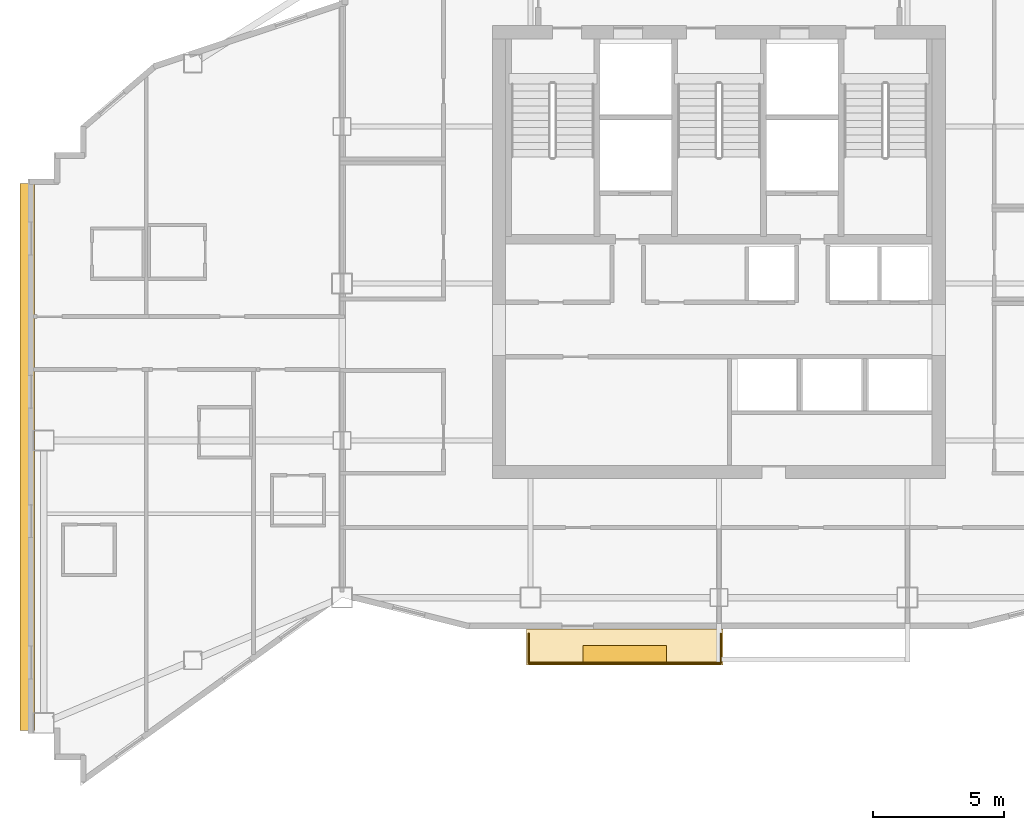
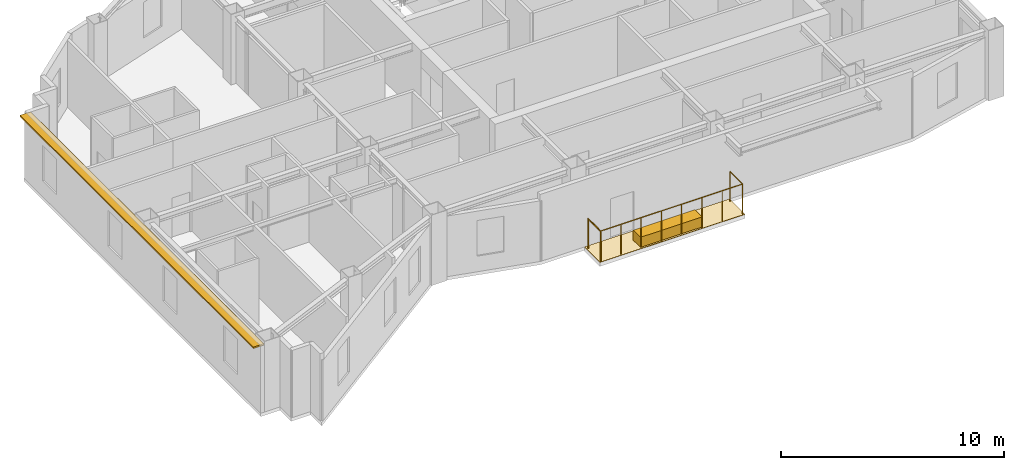
# One storey, part 9 of 10: 2 coverings, 2 railings, 1 shading device.
"""IFC4 building model written with IfcOpenShell, lengths in metres."""

from ifc_helpers import new_model, si_unit, direction, frame, origin, origin_2d, place, context, subcontext, project, spatial, polyline, rectangle, circle, outline, extrude, material, layer, layer_set, type_object, element, save


model = new_model("IFC4")

# Units and contexts
model_context = context("Model", 3, precision=1e-05, world=origin(), true_north=direction((0.0, 1.0)))
body_context = subcontext(model_context, "Body", "Model", "MODEL_VIEW")
ifc_project = project(units=[si_unit("LENGTHUNIT", "METRE"), si_unit("AREAUNIT", "SQUARE_METRE"), si_unit("VOLUMEUNIT", "CUBIC_METRE"), si_unit("PLANEANGLEUNIT", "RADIAN"), si_unit("MASSUNIT", "GRAM", prefix="KILO")], contexts=[model_context])

# Site, building, storey
site_placement = place(None, origin())
site = spatial("IfcSite", under=ifc_project, at=site_placement, CompositionType="ELEMENT")
building_placement = place(site_placement, origin())
building = spatial("IfcBuilding", under=site, at=building_placement, Name="Haolan Belvedere Tower", CompositionType="ELEMENT")
storey_placement = place(building_placement, frame((0.0, 0.0, 266.0)))
storey = spatial("IfcBuildingStorey", under=building, at=storey_placement, Name="L67", CompositionType="ELEMENT", Elevation=266.0)

# Coverings
ifc_material_1 = material(Name="Engineered lightweight planted garden soil substrate", Category="masonry")
ifc_layer_1 = layer(ifc_material_1, 0.550048828125, Name="Engineered lightweight planted garden soil substrate")
ifc_layer_set_1 = layer_set([ifc_layer_1], Name="Engineered lightweight planted garden soil substrate")
covering_type_1 = type_object("IfcCoveringType", Name="COV-PLANT-550", PredefinedType="MEMBRANE", material=ifc_layer_set_1)
covering_1_placement = place(storey_placement, frame((34.800048828125, 19.43994140625, 0.0), z_axis=(0.0, 0.0, 1.0), x_axis=(1.0, 0.0, 0.0)))
element("IfcCovering", 1, at=covering_1_placement, inside=storey, type_object=covering_type_1, Name="L67 structural tree balcony PLANTER box 1", PredefinedType="MEMBRANE", context=body_context, shape_type="SweptSolid", body=[
    extrude(rectangle(XDim=3.199951171875, YDim=0.64990234375, at=origin_2d()), origin(), (0.0, 0.0, 1.0), 0.550048828125),
])
ifc_material_2 = material(Name="Elastomeric waterproof roofing membrane and stone pavers", Category="masonry")
ifc_layer_2 = layer(ifc_material_2, 0.02001953125, Name="Elastomeric waterproof roofing membrane and stone pavers")
ifc_layer_set_2 = layer_set([ifc_layer_2], Name="Elastomeric waterproof roofing membrane and stone pavers")
covering_type_2 = type_object("IfcCoveringType", Name="COV-ROOF-20", PredefinedType="ROOFING", material=ifc_layer_set_2)
covering_2_placement = place(storey_placement, frame((0.0, 0.0, -0.02001953125)))
element("IfcCovering", 2, at=covering_2_placement, inside=storey, type_object=covering_type_2, Name="L67 tree-balcony waterproof membrane 1", PredefinedType="ROOFING", context=body_context, shape_type="SweptSolid", body=[
    extrude(outline(polyline([(31.050048828125, 19.02001953125), (38.550048828125, 19.02001953125), (38.550048828125, 20.39990234375), (31.050048828125, 20.39990234375), (31.050048828125, 19.02001953125)])), origin(), (0.0, 0.0, 1.0), 0.02001953125),
])

# Railings
ifc_material_3 = material(Name="Anodised aluminium and laminated glass balustrade", Category="aluminium")
railing_type = type_object("IfcRailingType", Name="RL-TER-BAL-1150", PredefinedType="BALUSTRADE", material=ifc_material_3)
railing_1_placement = place(storey_placement, frame((31.1298828125, 19.10009765625, 0.0)))
element("IfcRailing", 3, at=railing_1_placement, inside=storey, type_object=railing_type, Name="L67 outdoor perimeter balustrade BAL-L67-1-1", PredefinedType="BALUSTRADE", context=body_context, shape_type="SweptSolid", body=[
    extrude(circle(Radius=0.02392578125, at=origin_2d()), frame((0.0, 0.0, 1.6259765625), z_axis=(0.0, 1.0, 0.0), x_axis=(-1.0, 0.0, 0.0)), (0.0, 0.0, 1.0), 1.119873046875),
    extrude(circle(Radius=0.02099609375, at=origin_2d()), origin(), (0.0, 0.0, 1.0), 1.601806640625),
    extrude(circle(Radius=0.02099609375, at=origin_2d()), frame((0.0, 1.119873046875, 0.0)), (0.0, 0.0, 1.0), 1.601806640625),
])
railing_2_placement = place(storey_placement, frame((38.469970703125, 20.219970703125, 0.0)))
element("IfcRailing", 4, at=railing_2_placement, inside=storey, type_object=railing_type, Name="L67 outdoor perimeter balustrade BAL-L67-1-2", PredefinedType="BALUSTRADE", context=body_context, shape_type="SweptSolid", body=[
    extrude(circle(Radius=0.02392578125, at=origin_2d()), frame((0.0, 0.0, 1.6259765625), z_axis=(0.0, -1.0, 0.0), x_axis=(1.0, 0.0, 0.0)), (0.0, 0.0, 1.0), 1.119873046875),
    extrude(circle(Radius=0.02392578125, at=origin_2d()), frame((0.0, -1.119873046875, 1.6259765625), z_axis=(-1.0, 0.0, 0.0), x_axis=(0.0, -1.0, 0.0)), (0.0, 0.0, 1.0), 7.340087890625),
    extrude(circle(Radius=0.02099609375, at=origin_2d()), origin(), (0.0, 0.0, 1.0), 1.601806640625),
    extrude(circle(Radius=0.02099609375, at=origin_2d()), frame((0.0, -1.119873046875, 0.0)), (0.0, 0.0, 1.0), 1.601806640625),
    extrude(circle(Radius=0.02099609375, at=origin_2d()), frame((-1.048583984375, -1.119873046875, 0.0)), (0.0, 0.0, 1.0), 1.601806640625),
    extrude(circle(Radius=0.02099609375, at=origin_2d()), frame((-2.09716796875, -1.119873046875, 0.0)), (0.0, 0.0, 1.0), 1.601806640625),
    extrude(circle(Radius=0.02099609375, at=origin_2d()), frame((-3.145751953125, -1.119873046875, 0.0)), (0.0, 0.0, 1.0), 1.601806640625),
    extrude(circle(Radius=0.02099609375, at=origin_2d()), frame((-4.1943359375, -1.119873046875, 0.0)), (0.0, 0.0, 1.0), 1.601806640625),
    extrude(circle(Radius=0.02099609375, at=origin_2d()), frame((-5.242919921875, -1.119873046875, 0.0)), (0.0, 0.0, 1.0), 1.601806640625),
    extrude(circle(Radius=0.02099609375, at=origin_2d()), frame((-6.29150390625, -1.119873046875, 0.0)), (0.0, 0.0, 1.0), 1.601806640625),
    extrude(circle(Radius=0.02099609375, at=origin_2d()), frame((-7.340087890625, -1.119873046875, 0.0)), (0.0, 0.0, 1.0), 1.601806640625),
])

# Shading device
ifc_material_4 = material(Name="Anodised champagne-silver aluminium 6063-T6", Category="aluminium")
ifc_layer_3 = layer(ifc_material_4, 0.080078125, Name="Anodised champagne-silver aluminium 6063-T6")
ifc_layer_set_3 = layer_set([ifc_layer_3], Name="Anodised champagne-silver aluminium 6063-T6")
shading_device_type = type_object("IfcShadingDeviceType", Name="SHD-SUN-550", PredefinedType="USERDEFINED", material=ifc_layer_set_3)
shading_device_placement = place(storey_placement, frame((11.969970703125, 26.972412109375, 3.570068359375), z_axis=(0.0, 0.0, 1.0), x_axis=(0.0, -1.0, 0.0)))
element("IfcShadingDevice", 5, at=shading_device_placement, inside=storey, type_object=shading_device_type, Name="L67 pale-metal horizontal SUNSHADE band 23.1", ObjectType="SUNSHADE", PredefinedType="USERDEFINED", context=body_context, shape_type="SweptSolid", body=[
    extrude(rectangle(XDim=20.905029296875, YDim=0.550048828125, at=origin_2d()), origin(), (0.0, 0.0, 1.0), 0.080078125),
])

save(model, "model.ifc")
